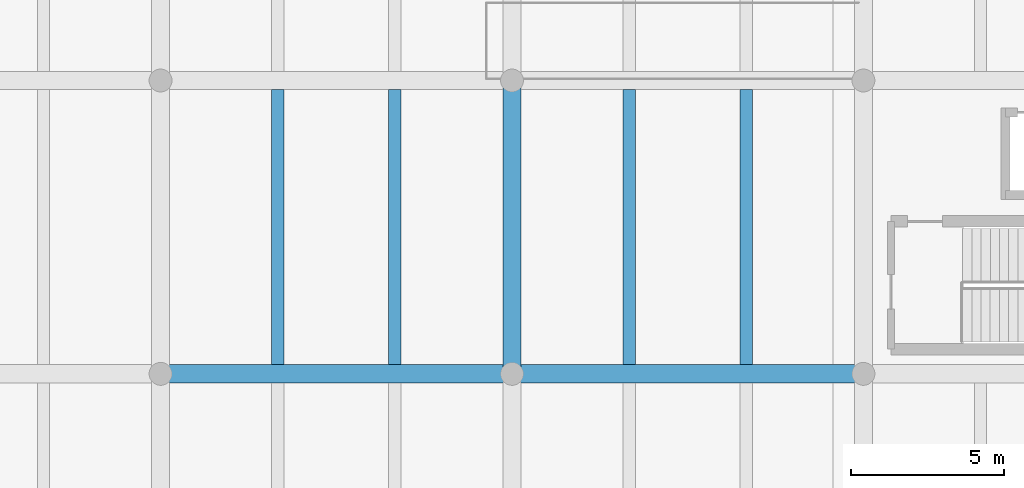
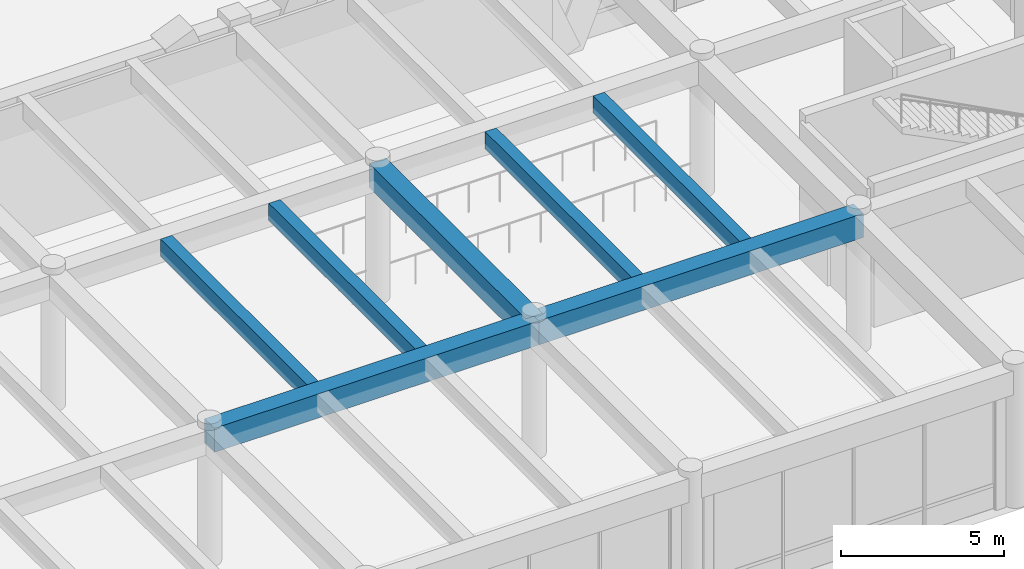
# One storey, part 38 of 148: 7 beams.
"""IFC4 building model written with IfcOpenShell, lengths in metres."""

import ifcopenshell
import ifcopenshell.guid

model = None  # the IFC model being written
_history = None  # IfcOwnerHistory: only IFC2X3 demands one
_inside = {}  # id of a spatial element -> (the spatial element, [elements in it])
_under = {}  # id of a project, library or spatial element -> (it, [spatial elements below it])
_declared = {}  # id of a project -> (the project, [libraries it declares])
_typed = {}  # id of a type object -> (the type object, [elements of that type])
_made_of = {}  # id of a material, layer set ... -> (it, [elements and type objects made of it])


def new_model(schema):
    """Start an empty IFC model of exactly this schema.

    Asked for "IFC4X3", IfcOpenShell would pick the latest addendum, in which some entities
    have other attributes; the version numbers below select the first issue.
    IFC2X3 requires an IfcOwnerHistory on every rooted entity: one is made here for all.
    """
    global model, _history
    if schema == "IFC4X3":
        model = ifcopenshell.file(schema_version=(4, 3, 0, 0))
    else:
        model = ifcopenshell.file(schema=schema)
    _inside.clear()
    _under.clear()
    _declared.clear()
    _typed.clear()
    _made_of.clear()
    _history = None
    if model.schema == "IFC2X3":
        org = make("IfcOrganization", Name="unknown")
        user = make(
            "IfcPersonAndOrganization",
            ThePerson=make("IfcPerson", FamilyName="unknown"),
            TheOrganization=org,
        )
        app = make(
            "IfcApplication",
            ApplicationDeveloper=org,
            Version="unknown",
            ApplicationFullName="unknown",
            ApplicationIdentifier="unknown",
        )
        _history = make(
            "IfcOwnerHistory",
            OwningUser=user,
            OwningApplication=app,
            ChangeAction="ADDED",
            CreationDate=0,
        )
    return model


def make(cls, **values):
    """One entity of the class cls with the attributes given. An attribute that is None is left unset."""
    return model.create_entity(
        cls, **{name: value for name, value in values.items() if value is not None}
    )


def rooted(cls, **values):
    """An entity with a GlobalId (a new one), such as an element, a storey or a relation."""
    return make(cls, GlobalId=ifcopenshell.guid.new(), OwnerHistory=_history, **values)


def si_unit(unit_type, name, prefix=None):
    """IfcSIUnit, for example si_unit("LENGTHUNIT", "METRE", prefix="MILLI")."""
    return make("IfcSIUnit", UnitType=unit_type, Prefix=prefix, Name=name)


def assignment(units):
    """IfcUnitAssignment: the units of a project."""
    return None if units is None else make("IfcUnitAssignment", Units=units)


def point(xyz):
    """IfcCartesianPoint."""
    return None if xyz is None else make("IfcCartesianPoint", Coordinates=xyz)


def direction(xyz):
    """IfcDirection."""
    return None if xyz is None else make("IfcDirection", DirectionRatios=xyz)


def frame(location, z_axis=None, x_axis=None):
    """IfcAxis2Placement3D, a coordinate frame: its origin and axes. An axis left out is left unset."""
    return make(
        "IfcAxis2Placement3D",
        Location=point(location),
        Axis=direction(z_axis),
        RefDirection=direction(x_axis),
    )


def frame_2d(location, x_axis=None):
    """IfcAxis2Placement2D, a coordinate frame in the plane: its origin and x axis."""
    return make(
        "IfcAxis2Placement2D", Location=point(location), RefDirection=direction(x_axis)
    )


def origin():
    """The frame at (0, 0, 0) with its axes left unset."""
    return frame((0.0, 0.0, 0.0))


def origin_2d():
    """The frame at (0, 0) in the plane with its x axis left unset."""
    return frame_2d((0.0, 0.0))


def place(relative_to, where):
    """IfcLocalPlacement: puts the frame where relative to a parent placement (None: the world)."""
    return make(
        "IfcLocalPlacement", PlacementRelTo=relative_to, RelativePlacement=where
    )


def context(
    kind, dimensions, precision=None, world=None, true_north=None, identifier=None
):
    """IfcGeometricRepresentationContext, for example the 3D "Model" context."""
    return make(
        "IfcGeometricRepresentationContext",
        ContextIdentifier=identifier,
        ContextType=kind,
        CoordinateSpaceDimension=dimensions,
        Precision=precision,
        WorldCoordinateSystem=world,
        TrueNorth=true_north,
    )


def subcontext(parent, identifier, kind, view, scale=None):
    """IfcGeometricRepresentationSubContext, for example "Body" below "Model"."""
    return make(
        "IfcGeometricRepresentationSubContext",
        ContextIdentifier=identifier,
        ContextType=kind,
        ParentContext=parent,
        TargetScale=scale,
        TargetView=view,
    )


def project(units=None, contexts=None):
    """IfcProject with its units and contexts."""
    return rooted(
        "IfcProject",
        Name="project",
        RepresentationContexts=contexts,
        UnitsInContext=assignment(units),
    )


def spatial(cls, under=None, at=None, **own):
    """A site, building, storey or space (cls), placed at a placement, below another one or the project."""
    s = rooted(cls, ObjectPlacement=at, **own)
    if under is not None:
        _under.setdefault(under.id(), (under, []))[1].append(s)
    return s


def profile(cls, at=None, kind="AREA", **sizes):
    """A parametric profile (cls). Its sizes go by their IFC names, for example OverallWidth=200.0."""
    return make(cls, ProfileType=kind, Position=at, **sizes)


def rectangle(**sizes):
    """IfcRectangleProfileDef."""
    return profile("IfcRectangleProfileDef", **sizes)


def extrude(swept, where, along, depth):
    """IfcExtrudedAreaSolid: the profile swept, set in the frame where, extruded along a direction by depth."""
    return make(
        "IfcExtrudedAreaSolid",
        SweptArea=swept,
        Position=where,
        ExtrudedDirection=direction(along),
        Depth=depth,
    )


def shape(context_of_items, identifier, shape_type, items):
    """IfcShapeRepresentation: the items that make up one representation, for example the "Body"."""
    return make(
        "IfcShapeRepresentation",
        ContextOfItems=context_of_items,
        RepresentationIdentifier=identifier,
        RepresentationType=shape_type,
        Items=items,
    )


def material(Name=None, Category=None):
    """IfcMaterial."""
    return make("IfcMaterial", Name=Name, Category=Category)


def material_profile(
    of_material, cross_section, Name=None, Category=None, Priority=None
):
    """IfcMaterialProfile: a cross section and its material."""
    return make(
        "IfcMaterialProfile",
        Name=Name,
        Material=of_material,
        Profile=cross_section,
        Priority=Priority,
        Category=Category,
    )


def profile_set(profiles, Name=None, composite=None):
    """IfcMaterialProfileSet."""
    return make(
        "IfcMaterialProfileSet",
        Name=Name,
        MaterialProfiles=profiles,
        CompositeProfile=composite,
    )


def made_of(thing, what):
    """Note that an element or type object is made of a material, layer set ...; save() writes the relation."""
    if what is not None:
        _made_of.setdefault(what.id(), (what, []))[1].append(thing)
    return thing


def type_object(cls, material=None, **own):
    """A type object (cls), such as IfcWallType, which elements share."""
    return made_of(rooted(cls, **own), material)


def element(
    cls,
    number,
    at=None,
    inside=None,
    cuts=None,
    type_object=None,
    material=None,
    context=None,
    identifier="Body",
    shape_type=None,
    held_by="IfcProductDefinitionShape",
    body=None,
    shapes=None,
    **own,
):
    """One element of the class cls, such as IfcWall. Its Tag is "e" and its number.

    at: its placement. inside: the storey or other place that contains it. cuts: it is an
    opening in that element (IfcRelVoidsElement). A single representation is given by context,
    identifier, shape_type and body (its items); several are given by shapes. held_by: the class
    of the entity that holds the representations. save() writes the other relations.
    """
    e = rooted(cls, Tag="e%d" % number, ObjectPlacement=at, **own)
    if body is not None:
        shapes = [shape(context, identifier, shape_type, body)]
    if shapes is not None:
        e.Representation = make(held_by, Representations=shapes)
    if inside is not None:
        _inside.setdefault(inside.id(), (inside, []))[1].append(e)
    if cuts is not None:
        rooted(
            "IfcRelVoidsElement", RelatingBuildingElement=cuts, RelatedOpeningElement=e
        )
    if type_object is not None:
        _typed.setdefault(type_object.id(), (type_object, []))[1].append(e)
    return made_of(e, material)


def aggregate(whole, parts):
    """IfcRelAggregates: a whole, such as a stair, and the parts it consists of."""
    return rooted("IfcRelAggregates", RelatingObject=whole, RelatedObjects=parts)


def save(model, path):
    """Write the relations noted so far, then the file.

    IfcRelAggregates (storeys below a building ...), IfcRelContainedInSpatialStructure (elements
    in a storey), IfcRelDefinesByType, IfcRelAssociatesMaterial and IfcRelDeclares: one each for
    every whole, place, type object, material and project.
    """
    for whole, parts in _under.values():
        aggregate(whole, parts)
    for where, things in _inside.values():
        rooted(
            "IfcRelContainedInSpatialStructure",
            RelatedElements=things,
            RelatingStructure=where,
        )
    for kind, things in _typed.values():
        rooted("IfcRelDefinesByType", RelatedObjects=things, RelatingType=kind)
    for what, things in _made_of.values():
        rooted("IfcRelAssociatesMaterial", RelatedObjects=things, RelatingMaterial=what)
    for by, libraries in _declared.values():
        rooted("IfcRelDeclares", RelatingContext=by, RelatedDefinitions=libraries)
    model.write(path)


model = new_model("IFC4")

# Units and contexts
model_context = context("Model", 3, precision=1e-05, world=origin(), true_north=direction((0.0, 1.0)))
body_context = subcontext(model_context, "Body", "Model", "MODEL_VIEW")
ifc_project = project(units=[si_unit("LENGTHUNIT", "METRE"), si_unit("AREAUNIT", "SQUARE_METRE"), si_unit("VOLUMEUNIT", "CUBIC_METRE"), si_unit("PLANEANGLEUNIT", "RADIAN"), si_unit("MASSUNIT", "GRAM", prefix="KILO")], contexts=[model_context])

# Site, building, storey
site_placement = place(None, origin())
site = spatial("IfcSite", under=ifc_project, at=site_placement, CompositionType="ELEMENT")
building_placement = place(site_placement, origin())
building = spatial("IfcBuilding", under=site, at=building_placement, Name="Ologun Quay Terminus", CompositionType="ELEMENT")
storey_placement = place(building_placement, frame((0.0, 0.0, 8.39990234375)))
storey = spatial("IfcBuildingStorey", under=building, at=storey_placement, Name="L02", CompositionType="ELEMENT", Elevation=8.39990234375)

# Beams
ifc_material_1 = material(Name="Concrete C40/50", Category="concrete")
ifc_material_profile_1 = material_profile(ifc_material_1, rectangle(XDim=0.60009765625, YDim=0.89990234375, at=origin_2d()), Name="RC 600x900")
ifc_profile_set_1 = profile_set([ifc_material_profile_1], Name="Concrete C40/50")
beam_type_1 = type_object("IfcBeamType", Name="Station Frame Girder 600x900", PredefinedType="BEAM", material=ifc_profile_set_1)
for number, where, z_axis, x_axis, name in (
    (1, (92.0, 17.60009765625, 4.7001953125), (1.0, 0.0, 0.0), (0.0, 1.0, 0.0), "B3 Beam 9/C L02"),
    (2, (103.5, 17.60009765625, 4.7001953125), (1.0, 0.0, 0.0), (0.0, 1.0, 0.0), "B3 Beam 10/C L02"),
):
    element("IfcBeam", number, at=place(storey_placement, frame(where, z_axis=z_axis, x_axis=x_axis)), inside=storey, type_object=beam_type_1, Name=name, PredefinedType="BEAM", context=body_context, shape_type="SweptSolid", body=[
        extrude(rectangle(XDim=0.60009765625, YDim=0.89990234375, at=origin_2d()), origin(), (0.0, 0.0, 1.0), 11.5),
    ])
beam_placement = place(storey_placement, frame((103.5, 17.60009765625, 4.7001953125), z_axis=(0.0, 1.0, 0.0), x_axis=(-1.0, 0.0, 0.0)))
element("IfcBeam", 3, at=beam_placement, inside=storey, type_object=beam_type_1, Name="B3 Beam 10/C L02", PredefinedType="BEAM", context=body_context, shape_type="SweptSolid", body=[
    extrude(rectangle(XDim=0.60009765625, YDim=0.89990234375, at=origin_2d()), origin(), (0.0, 0.0, 1.0), 9.599853515625),
])
ifc_material_2 = material(Name="Concrete C40/50", Category="concrete")
ifc_material_profile_2 = material_profile(ifc_material_2, rectangle(XDim=0.39990234375, YDim=0.64990234375, at=origin_2d()), Name="RC 400x650")
ifc_profile_set_2 = profile_set([ifc_material_profile_2], Name="Concrete C40/50")
beam_type_2 = type_object("IfcBeamType", Name="Station Secondary Joist 400x650", PredefinedType="JOIST", material=ifc_profile_set_2)
for number, where, z_axis, x_axis, name in (
    (4, (95.833251953125, 17.89990234375, 4.8251953125), (0.0, 1.0, 0.0), (-1.0, 0.0, 0.0), "J1 Beam 9/C L02"),
    (5, (99.666748046875, 17.89990234375, 4.8251953125), (0.0, 1.0, 0.0), (-1.0, 0.0, 0.0), "J1 Beam 9/C L02"),
    (6, (107.333251953125, 17.89990234375, 4.8251953125), (0.0, 1.0, 0.0), (-1.0, 0.0, 0.0), "J1 Beam 10/C L02"),
    (7, (111.166748046875, 17.89990234375, 4.8251953125), (0.0, 1.0, 0.0), (-1.0, 0.0, 0.0), "J1 Beam 10/C L02"),
):
    element("IfcBeam", number, at=place(storey_placement, frame(where, z_axis=z_axis, x_axis=x_axis)), inside=storey, type_object=beam_type_2, Name=name, PredefinedType="JOIST", context=body_context, shape_type="SweptSolid", body=[
        extrude(rectangle(XDim=0.39990234375, YDim=0.64990234375, at=origin_2d()), origin(), (0.0, 0.0, 1.0), 9.0),
    ])

save(model, "model.ifc")
